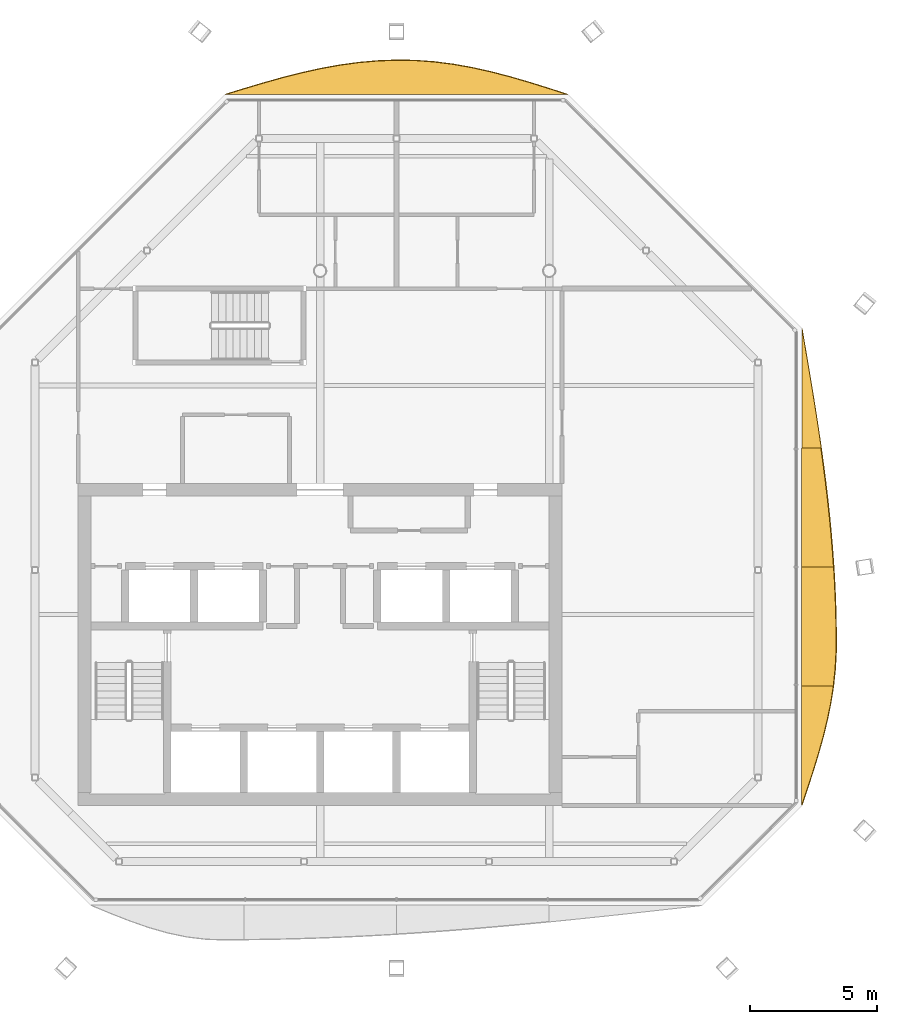
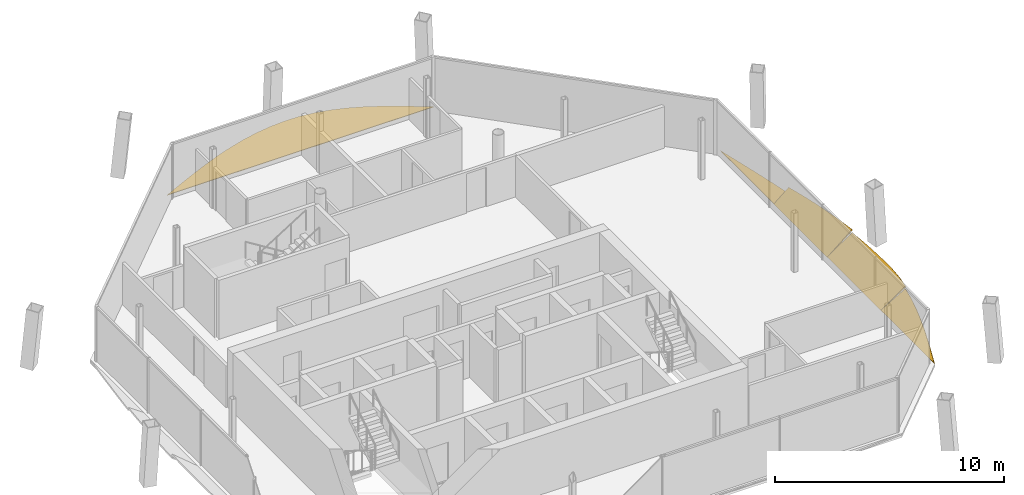
# One storey, part 13 of 13: 5 shading devices.
"""IFC4 building model written with IfcOpenShell, lengths in metres."""

from ifc_helpers import new_model, si_unit, direction, frame, origin, place, context, subcontext, project, spatial, polyline, outline, extrude, material, layer, layer_set, type_object, element, save


model = new_model("IFC4")

# Units and contexts
model_context = context("Model", 3, precision=1e-05, world=origin(), true_north=direction((0.0, 1.0)))
body_context = subcontext(model_context, "Body", "Model", "MODEL_VIEW")
ifc_project = project(units=[si_unit("LENGTHUNIT", "METRE"), si_unit("AREAUNIT", "SQUARE_METRE"), si_unit("VOLUMEUNIT", "CUBIC_METRE"), si_unit("PLANEANGLEUNIT", "RADIAN"), si_unit("MASSUNIT", "GRAM", prefix="KILO")], contexts=[model_context])

# Site, building, storey
site_placement = place(None, origin())
site = spatial("IfcSite", under=ifc_project, at=site_placement, CompositionType="ELEMENT")
building_placement = place(site_placement, origin())
building = spatial("IfcBuilding", under=site, at=building_placement, Name="Tskaro Facet Tower", CompositionType="ELEMENT")
storey_placement = place(building_placement, frame((0.0, 0.0, 284.699951171875)))
storey = spatial("IfcBuildingStorey", under=building, at=storey_placement, Name="L76", CompositionType="ELEMENT", Elevation=284.699951171875)

# Shading devices
ifc_material = material(Name="Bronze anodised aluminium 6063-T6", Category="aluminium")
ifc_layer = layer(ifc_material, 0.06005859375, Name="Bronze anodised aluminium 6063-T6")
ifc_layer_set = layer_set([ifc_layer], Name="Bronze anodised aluminium 6063-T6")
shading_device_type = type_object("IfcShadingDeviceType", Name="Bronze sun blade (FN1)", PredefinedType="USERDEFINED", material=ifc_layer_set)
shading_device_1_placement = place(storey_placement, frame((18.91796875, -11.990966796875, 0.052001953125), z_axis=(-0.499961702652, -1.1282994e-05, 0.866047513566), x_axis=(-5.641065e-06, 0.999999999936, 9.771609e-06)))
element("IfcShadingDevice", 1, at=shading_device_1_placement, inside=storey, type_object=shading_device_type, Name="Fin blade east 1", ObjectType="FIN", PredefinedType="USERDEFINED", context=body_context, shape_type="SweptSolid", body=[
    extrude(outline(polyline([(0.0, 0.0), (4.6801757809520925, -3.964263085660385e-21), (4.680175781442506, -1.43265163571713), (4.011718751533869, -1.3103725716100585), (3.3430175769828083, -1.1520863878908822), (2.6743164053754405, -0.9620958784854361), (2.005859375026167, -0.7456389632632612), (1.337158203014091, -0.508831996162803), (0.6684570306789164, -0.2579133920850763), (0.0, 0.0)])), origin(), (0.0, 0.0, -1.0), 0.06005859375),
])
shading_device_2_placement = place(storey_placement, frame((18.91357421875, -7.310791015625, 0.04931640625), z_axis=(-0.573530525114, -1.1924718e-05, 0.819184189679), x_axis=(-6.83919e-06, 0.999999999929, 9.768541e-06)))
element("IfcShadingDevice", 2, at=shading_device_2_placement, inside=storey, type_object=shading_device_type, Name="Fin blade east 2", ObjectType="FIN", PredefinedType="USERDEFINED", context=body_context, shape_type="SweptSolid", body=[
    extrude(outline(polyline([(0.0, 0.0), (4.680175780917242, -7.92852617132077e-21), (4.680175782260653, -1.5301596357527165), (4.011718749580511, -1.577161456979653), (3.3430175770023896, -1.6125828320203253), (2.6745605464914286, -1.6367637791156744), (2.005859375367316, -1.6490242617838193), (1.6474609374140436, -1.6507843270277263), (1.3371582028276443, -1.6457041274360777), (0.6687011721453326, -1.6022224366969555), (-7.214731865218618e-11, -1.5145790187368302), (0.0, 0.0)])), origin(), (0.0, 0.0, -1.0), 0.06005859375),
])
shading_device_3_placement = place(storey_placement, frame((18.909423828125, -2.630615234375, 0.0458984375), z_axis=(-0.642839864834, 1.5307478e-05, 0.766000592654), x_axis=(9.840257e-06, 0.999999999883, -1.1725537e-05)))
element("IfcShadingDevice", 3, at=shading_device_3_placement, inside=storey, type_object=shading_device_type, Name="Fin blade east 3", ObjectType="FIN", PredefinedType="USERDEFINED", context=body_context, shape_type="SweptSolid", body=[
    extrude(outline(polyline([(0.0, 0.0), (4.680419921326645, 0.0), (4.680419921934615, -0.9867274912520109), (4.011718750778067, -1.107169010107795), (3.3432617179002015, -1.2194524106592755), (2.6745605477764345, -1.323263806253665), (2.005859374745065, -1.417354250920862), (1.3374023427540178, -1.501222846144616), (0.6687011710136238, -1.57452563673507), (-1.3330050933240464e-09, -1.6363877004490481), (0.0, 0.0)])), origin(), (0.0, 0.0, -1.0), 0.06005859375),
])
shading_device_4_placement = place(storey_placement, frame((18.927490234375, 2.0498046875, 0.056396484375), z_axis=(-0.342091240352, -5.258075e-06, 0.939666740524), x_axis=(-1.798741e-06, 0.999999999986, 4.940838e-06)))
element("IfcShadingDevice", 4, at=shading_device_4_placement, inside=storey, type_object=shading_device_type, Name="Fin blade east 4", ObjectType="FIN", PredefinedType="USERDEFINED", context=body_context, shape_type="SweptSolid", body=[
    extrude(outline(polyline([(0.0, 0.0), (4.680175781185302, 9.910657714150963e-22), (4.011474609630487, -0.12187531821601441), (3.343017578044735, -0.24266595639226785), (2.6743164060563407, -0.36191309287810747), (2.005859374259365, -0.47853204763377244), (1.3371582031603975, -0.5916051773579571), (0.6684570318502072, -0.7005066236615534), (-1.4128965676051233e-10, -0.8043811173301265), (0.0, 0.0)])), origin(), (0.0, 0.0, -1.0), 0.06005859375),
])
shading_device_5_placement = place(storey_placement, frame((9.72998046875, 15.91796875, 0.052001953125), z_axis=(3.50574e-07, -0.49998121733, 0.866036247692), x_axis=(-1.0, -1.7528e-07, 3.0361e-07)))
element("IfcShadingDevice", 5, at=shading_device_5_placement, inside=storey, type_object=shading_device_type, Name="Fin blade north 1", ObjectType="FIN", PredefinedType="USERDEFINED", context=body_context, shape_type="SweptSolid", body=[
    extrude(outline(polyline([(0.0, 0.0), (13.459960937499174, 0.0), (12.712158203073663, -0.2649081769100975), (11.964355468734503, -0.5220651982549267), (11.216552734408344, -0.764020712003901), (10.468750000010363, -0.9838693011148892), (9.72119140626032, -1.1752831803572064), (8.973388671874597, -1.33256886839252), (8.225585937495765, -1.4512448195862966), (7.4777832031184825, -1.5279193582809147), (6.729980468788599, -1.5604127445225506), (6.5683593750156835, -1.5615026144994624), (5.982177734372387, -1.5459676065459358), (5.234374999989821, -1.4825262701241342), (4.4865722656806355, -1.3718456059493997), (3.73876953125914, -1.2172845928563651), (2.9912109374695386, -1.0241138429217935), (2.2434082030954543, -0.7980268374840171), (1.495605468718324, -0.5465632974775202), (0.7478027344000425, -0.277718509921345), (0.0, 0.0)])), origin(), (0.0, 0.0, -1.0), 0.06005859375),
])

save(model, "model.ifc")
